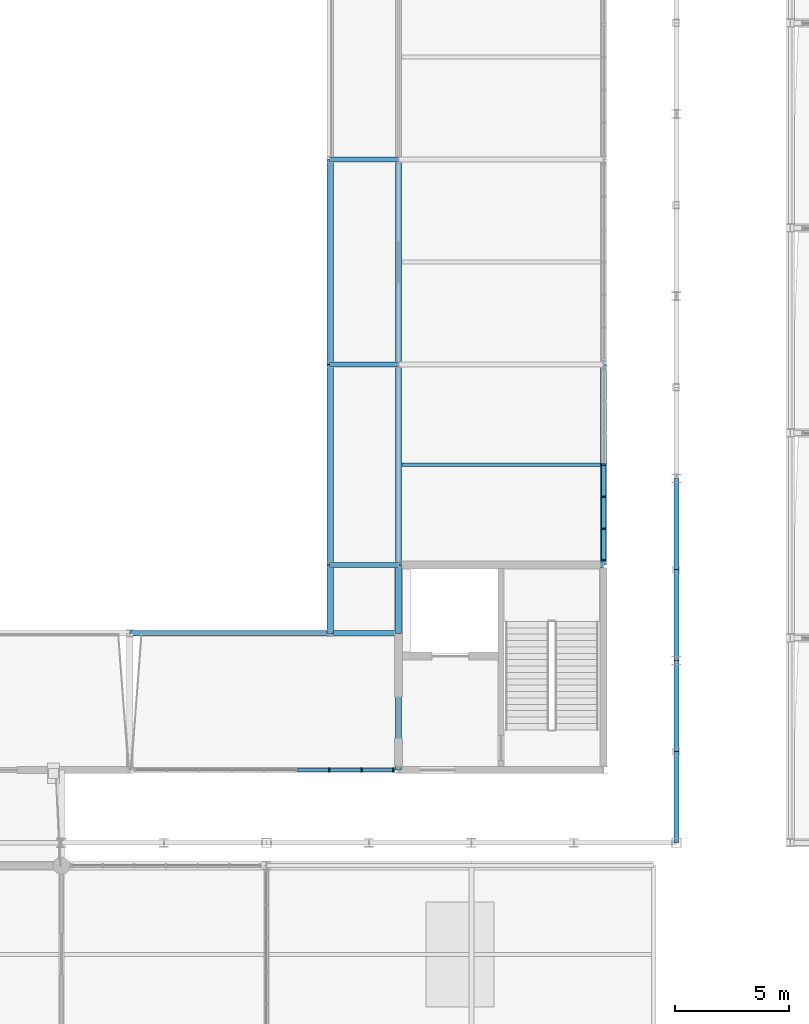
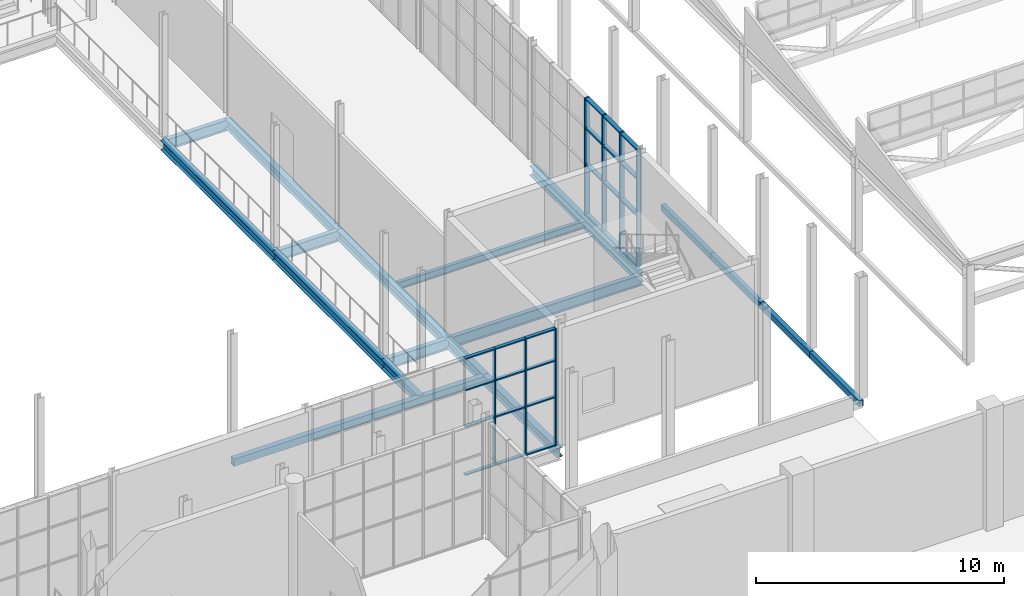
# One storey, part 74 of 159: 31 members, 18 beams, 2 elements without a shape of their own.
"""IFC4 building model written with IfcOpenShell, lengths in metres."""

from ifc_helpers import new_model, si_unit, direction, frame, origin, origin_2d, place, context, subcontext, project, spatial, rectangle, hollow_rectangle, i_section, extrude, material, layer, layer_set, material_profile, profile_set, type_object, element, aggregate, save


model = new_model("IFC4")

# Units and contexts
model_context = context("Model", 3, precision=1e-05, world=origin(), true_north=direction((0.0, 1.0)))
body_context = subcontext(model_context, "Body", "Model", "MODEL_VIEW")
ifc_project = project(units=[si_unit("LENGTHUNIT", "METRE"), si_unit("AREAUNIT", "SQUARE_METRE"), si_unit("VOLUMEUNIT", "CUBIC_METRE"), si_unit("PLANEANGLEUNIT", "RADIAN"), si_unit("MASSUNIT", "GRAM", prefix="KILO")], contexts=[model_context])

# Site, building, storey
site_placement = place(None, origin())
site = spatial("IfcSite", under=ifc_project, at=site_placement, CompositionType="ELEMENT")
building_placement = place(site_placement, origin())
building = spatial("IfcBuilding", under=site, at=building_placement, Name="Cazmaro Siding Exhibition Halls", CompositionType="ELEMENT")
storey_placement = place(building_placement, frame((0.0, 0.0, 6.0)))
storey = spatial("IfcBuildingStorey", under=building, at=storey_placement, Name="L01", CompositionType="ELEMENT", Elevation=6.0)

# Beams
ifc_material_1 = material(Name="Steel ASTM A992 Grade 50", Category="steel")
ifc_material_profile_1 = material_profile(ifc_material_1, i_section(OverallWidth=0.2099609375, OverallDepth=0.535888671875, WebThickness=0.010986328125, FlangeThickness=0.01708984375, at=origin_2d()), Name="W21X68")
ifc_profile_set_1 = profile_set([ifc_material_profile_1], Name="Steel ASTM A992 Grade 50")
beam_type_1 = type_object("IfcBeamType", Name="B-02", PredefinedType="BEAM", material=ifc_profile_set_1)
for number, where, z_axis, x_axis, name in (
    (1, (155.800048828125, 76.199951171875, -0.488037109375), (1.0, 0.0, 0.0), (0.0, 1.0, 0.0), "Beam B-02 BM-0371"),
    (2, (155.800048828125, 85.0, -0.488037109375), (1.0, 0.0, 0.0), (0.0, 1.0, 0.0), "Beam B-02 BM-0372"),
    (3, (155.800048828125, 94.0, -0.488037109375), (1.0, 0.0, 0.0), (0.0, 1.0, 0.0), "Beam B-02 BM-0373"),
):
    element("IfcBeam", number, at=place(storey_placement, frame(where, z_axis=z_axis, x_axis=x_axis)), inside=storey, type_object=beam_type_1, Name=name, PredefinedType="BEAM", context=body_context, shape_type="SweptSolid", body=[
        extrude(i_section(OverallWidth=0.2099609375, OverallDepth=0.535888671875, WebThickness=0.010986328125, FlangeThickness=0.01708984375, at=origin_2d()), origin(), (0.0, 0.0, 1.0), 3.0),
    ])
beam_1_placement = place(storey_placement, frame((158.800048828125, 76.199951171875, -0.488037109375), z_axis=(1.0, 0.0, 0.0), x_axis=(0.0, 1.0, 0.0)))
element("IfcBeam", 4, at=beam_1_placement, inside=storey, type_object=beam_type_1, Name="Beam B-02 BM-0382", PredefinedType="BEAM", context=body_context, shape_type="SweptSolid", body=[
    extrude(i_section(OverallWidth=0.2099609375, OverallDepth=0.535888671875, WebThickness=0.010986328125, FlangeThickness=0.01708984375, at=origin_2d()), origin(), (0.0, 0.0, 1.0), 9.0),
])
ifc_material_2 = material(Name="Steel ASTM A992 Grade 50", Category="steel")
ifc_material_profile_2 = material_profile(ifc_material_2, i_section(OverallWidth=0.279052734375, OverallDepth=0.4619140625, WebThickness=0.010986328125, FlangeThickness=0.01708984375, at=origin_2d()), Name="W18X76")
ifc_profile_set_2 = profile_set([ifc_material_profile_2], Name="Steel ASTM A992 Grade 50")
beam_type_2 = type_object("IfcBeamType", Name="B-03", PredefinedType="BEAM", material=ifc_profile_set_2)
beam_2_placement = place(storey_placement, frame((158.800048828125, 67.199951171875, -0.450927734375), z_axis=(0.0, 1.0, 0.0), x_axis=(-1.0, 0.0, 0.0)))
element("IfcBeam", 5, at=beam_2_placement, inside=storey, type_object=beam_type_2, Name="Beam B-03 BM-0347", PredefinedType="BEAM", context=body_context, shape_type="SweptSolid", body=[
    extrude(i_section(OverallWidth=0.279052734375, OverallDepth=0.4619140625, WebThickness=0.010986328125, FlangeThickness=0.01708984375, at=origin_2d()), origin(), (0.0, 0.0, 1.0), 6.0),
])
for number, where, z_axis, x_axis, name in (
    (6, (155.800048828125, 76.199951171875, -0.450927734375), (0.0, 1.0, 0.0), (-1.0, 0.0, 0.0), "Beam B-03 BM-0375"),
    (7, (158.800048828125, 76.199951171875, -0.450927734375), (0.0, 1.0, 0.0), (-1.0, 0.0, 0.0), "Beam B-03 BM-0376"),
):
    element("IfcBeam", number, at=place(storey_placement, frame(where, z_axis=z_axis, x_axis=x_axis)), inside=storey, type_object=beam_type_2, Name=name, PredefinedType="BEAM", context=body_context, shape_type="SweptSolid", body=[
        extrude(i_section(OverallWidth=0.279052734375, OverallDepth=0.4619140625, WebThickness=0.010986328125, FlangeThickness=0.01708984375, at=origin_2d()), origin(), (0.0, 0.0, 1.0), 8.800048828125),
    ])
for number, where, z_axis, x_axis, name in (
    (8, (155.800048828125, 85.0, -0.450927734375), (0.0, 1.0, 0.0), (-1.0, 0.0, 0.0), "Beam B-03 BM-0377"),
    (9, (158.800048828125, 85.0, -0.450927734375), (0.0, 1.0, 0.0), (-1.0, 0.0, 0.0), "Beam B-03 BM-0378"),
):
    element("IfcBeam", number, at=place(storey_placement, frame(where, z_axis=z_axis, x_axis=x_axis)), inside=storey, type_object=beam_type_2, Name=name, PredefinedType="BEAM", context=body_context, shape_type="SweptSolid", body=[
        extrude(i_section(OverallWidth=0.279052734375, OverallDepth=0.4619140625, WebThickness=0.010986328125, FlangeThickness=0.01708984375, at=origin_2d()), origin(), (0.0, 0.0, 1.0), 9.0),
    ])
beam_3_placement = place(storey_placement, frame((167.800048828125, 76.199951171875, -0.450927734375), z_axis=(0.0, 1.0, 0.0), x_axis=(-1.0, 0.0, 0.0)))
element("IfcBeam", 10, at=beam_3_placement, inside=storey, type_object=beam_type_2, Name="Beam B-03 BM-0386", PredefinedType="BEAM", context=body_context, shape_type="SweptSolid", body=[
    extrude(i_section(OverallWidth=0.279052734375, OverallDepth=0.4619140625, WebThickness=0.010986328125, FlangeThickness=0.01708984375, at=origin_2d()), origin(), (0.0, 0.0, 1.0), 8.800048828125),
])
for number, where, z_axis, x_axis, name in (
    (11, (155.800048828125, 73.199951171875, -0.450927734375), (0.0, 1.0, 0.0), (-1.0, 0.0, 0.0), "Beam B-03 BM-0396"),
    (12, (158.800048828125, 73.199951171875, -0.450927734375), (0.0, 1.0, 0.0), (-1.0, 0.0, 0.0), "Beam B-03 BM-0397"),
):
    element("IfcBeam", number, at=place(storey_placement, frame(where, z_axis=z_axis, x_axis=x_axis)), inside=storey, type_object=beam_type_2, Name=name, PredefinedType="BEAM", context=body_context, shape_type="SweptSolid", body=[
        extrude(i_section(OverallWidth=0.279052734375, OverallDepth=0.4619140625, WebThickness=0.010986328125, FlangeThickness=0.01708984375, at=origin_2d()), origin(), (0.0, 0.0, 1.0), 3.0),
    ])
ifc_material_3 = material(Name="Steel ASTM A500 Grade C", Category="steel")
ifc_material_profile_3 = material_profile(ifc_material_3, hollow_rectangle(XDim=0.25390625, YDim=0.35595703125, WallThickness=0.014892578125, at=origin_2d()), Name="HSS14X10X5/8")
ifc_profile_set_3 = profile_set([ifc_material_profile_3], Name="Steel ASTM A500 Grade C")
beam_type_3 = type_object("IfcBeamType", Name="B-06", PredefinedType="BEAM", material=ifc_profile_set_3)
beam_4_placement = place(storey_placement, frame((147.0, 73.199951171875, -0.39794921875), z_axis=(1.0, 0.0, 0.0), x_axis=(0.0, 1.0, 0.0)))
element("IfcBeam", 13, at=beam_4_placement, inside=storey, type_object=beam_type_3, Name="Beam B-06 BM-0335", PredefinedType="BEAM", context=body_context, shape_type="SweptSolid", body=[
    extrude(hollow_rectangle(XDim=0.25390625, YDim=0.35595703125, WallThickness=0.014892578125, at=origin_2d()), origin(), (0.0, 0.0, 1.0), 11.800048828125),
])

# Curtain wall, members
ifc_material_4 = material(Name="Anodized Bronze Aluminum and Solar-Control Low-E Glazing", Category="aluminium")
ifc_layer_1 = layer(ifc_material_4, 0.179931640625)
ifc_layer_set_1 = layer_set([ifc_layer_1], Name="Anodized Bronze Aluminum and Solar-Control Low-E Glazing")
curtain_wall_type_1 = type_object("IfcCurtainWallType", Name="CWS-01", PredefinedType="USERDEFINED", material=ifc_layer_set_1)
curtain_wall_1_placement = place(storey_placement, origin())
curtain_wall_1 = element("IfcCurtainWall", 14, at=curtain_wall_1_placement, inside=storey, type_object=curtain_wall_type_1, Name="Glazed Curtain Wall CWS-01 CW-044", ObjectType="GLAZED CURTAIN WALL", PredefinedType="USERDEFINED")
ifc_material_5 = material(Name="Anodized Bronze Extruded Aluminum", Category="aluminium")
ifc_material_profile_4 = material_profile(ifc_material_5, rectangle(XDim=0.179931640625, YDim=0.06005859375, at=origin_2d()), Name="CWM-01")
ifc_profile_set_4 = profile_set([ifc_material_profile_4], Name="Anodized Bronze Extruded Aluminum")
member_type_1 = type_object("IfcMemberType", Name="CWM-01", PredefinedType="MULLION", material=ifc_profile_set_4)
member_1_placement = place(storey_placement, frame((155.75146484375, 67.199951171875, 0.0), z_axis=(0.0, 0.0, 1.0), x_axis=(0.0, 1.0, 0.0)))
member_1 = element("IfcMember", 15, at=member_1_placement, type_object=member_type_1, Name="CWS-01 mullion 7", PredefinedType="MULLION", context=body_context, shape_type="SweptSolid", body=[
    extrude(rectangle(XDim=0.179931640625, YDim=0.06005859375, at=origin_2d()), origin(), (0.0, 0.0, 1.0), 5.780029296875),
])
member_2_placement = place(storey_placement, frame((157.17724609375, 67.199951171875, 0.0), z_axis=(0.0, 0.0, 1.0), x_axis=(0.0, 1.0, 0.0)))
member_2 = element("IfcMember", 16, at=member_2_placement, type_object=member_type_1, Name="CWS-01 mullion 8", PredefinedType="MULLION", context=body_context, shape_type="SweptSolid", body=[
    extrude(rectangle(XDim=0.179931640625, YDim=0.06005859375, at=origin_2d()), origin(), (0.0, 0.0, 1.0), 5.780029296875),
])
member_3_placement = place(storey_placement, frame((158.572998046875, 67.199951171875, 0.0), z_axis=(0.0, 0.0, 1.0), x_axis=(0.0, 1.0, 0.0)))
member_3 = element("IfcMember", 17, at=member_3_placement, type_object=member_type_1, Name="CWS-01 mullion 9", PredefinedType="MULLION", context=body_context, shape_type="SweptSolid", body=[
    extrude(rectangle(XDim=0.179931640625, YDim=0.06005859375, at=origin_2d()), origin(), (0.0, 0.0, 1.0), 5.780029296875),
])

ifc_material_6 = material(Name="Anodized Bronze Aluminum and Solar-Control Low-E Glazing", Category="aluminium")
ifc_layer_2 = layer(ifc_material_6, 0.219970703125)
ifc_layer_set_2 = layer_set([ifc_layer_2], Name="Anodized Bronze Aluminum and Solar-Control Low-E Glazing")
curtain_wall_type_2 = type_object("IfcCurtainWallType", Name="CWS-03", PredefinedType="USERDEFINED", material=ifc_layer_set_2)
curtain_wall_2_placement = place(storey_placement, origin())
curtain_wall_2 = element("IfcCurtainWall", 18, at=curtain_wall_2_placement, inside=storey, type_object=curtain_wall_type_2, Name="Glazed Curtain Wall CWS-03 CW-066", ObjectType="GLAZED CURTAIN WALL", PredefinedType="USERDEFINED")
ifc_material_7 = material(Name="Anodized Bronze Extruded Aluminum", Category="aluminium")
ifc_material_profile_5 = material_profile(ifc_material_7, rectangle(XDim=0.219970703125, YDim=0.070068359375, at=origin_2d()), Name="CWM-03")
ifc_profile_set_5 = profile_set([ifc_material_profile_5], Name="Anodized Bronze Extruded Aluminum")
member_type_2 = type_object("IfcMemberType", Name="CWM-03", PredefinedType="MULLION", material=ifc_profile_set_5)
member_4_placement = place(storey_placement, frame((167.800048828125, 76.412109375, 0.0), z_axis=(0.0, 0.0, 1.0), x_axis=(-1.0, 0.0, 0.0)))
member_4 = element("IfcMember", 19, at=member_4_placement, type_object=member_type_2, Name="CWS-03 mullion 1", PredefinedType="MULLION", context=body_context, shape_type="SweptSolid", body=[
    extrude(rectangle(XDim=0.219970703125, YDim=0.070068359375, at=origin_2d()), origin(), (0.0, 0.0, 1.0), 5.780029296875),
])
member_5_placement = place(storey_placement, frame((167.800048828125, 77.78466796875, 0.0), z_axis=(0.0, 0.0, 1.0), x_axis=(-1.0, 0.0, 0.0)))
member_5 = element("IfcMember", 20, at=member_5_placement, type_object=member_type_2, Name="CWS-03 mullion 2", PredefinedType="MULLION", context=body_context, shape_type="SweptSolid", body=[
    extrude(rectangle(XDim=0.219970703125, YDim=0.070068359375, at=origin_2d()), origin(), (0.0, 0.0, 1.0), 5.780029296875),
])
member_6_placement = place(storey_placement, frame((167.800048828125, 79.1923828125, 0.0), z_axis=(0.0, 0.0, 1.0), x_axis=(-1.0, 0.0, 0.0)))
member_6 = element("IfcMember", 21, at=member_6_placement, type_object=member_type_2, Name="CWS-03 mullion 3", PredefinedType="MULLION", context=body_context, shape_type="SweptSolid", body=[
    extrude(rectangle(XDim=0.219970703125, YDim=0.070068359375, at=origin_2d()), origin(), (0.0, 0.0, 1.0), 5.780029296875),
])
member_7_placement = place(storey_placement, frame((167.800048828125, 80.60009765625, 0.0), z_axis=(0.0, 0.0, 1.0), x_axis=(-1.0, 0.0, 0.0)))
member_7 = element("IfcMember", 22, at=member_7_placement, type_object=member_type_2, Name="CWS-03 mullion 4", PredefinedType="MULLION", context=body_context, shape_type="SweptSolid", body=[
    extrude(rectangle(XDim=0.219970703125, YDim=0.070068359375, at=origin_2d()), origin(), (0.0, 0.0, 1.0), 5.780029296875),
])

# Member
ifc_material_8 = material(Name="Anodized Bronze Extruded Aluminum", Category="aluminium")
ifc_material_profile_6 = material_profile(ifc_material_8, rectangle(XDim=0.159912109375, YDim=0.06005859375, at=origin_2d()), Name="CWT-01")
ifc_profile_set_6 = profile_set([ifc_material_profile_6], Name="Anodized Bronze Extruded Aluminum")
member_type_3 = type_object("IfcMemberType", Name="CWT-01", PredefinedType="MULLION", material=ifc_profile_set_6)
member_8_placement = place(storey_placement, frame((154.355712890625, 67.199951171875, 0.030029296875), z_axis=(1.0, 0.0, 0.0), x_axis=(0.0, 1.0, 0.0)))
member_8 = element("IfcMember", 23, at=member_8_placement, type_object=member_type_3, Name="CWS-01 transom 6.1", ObjectType="TRANSOM", PredefinedType="USERDEFINED", context=body_context, shape_type="SweptSolid", body=[
    extrude(rectangle(XDim=0.159912109375, YDim=0.06005859375, at=origin_2d()), origin(), (0.0, 0.0, 1.0), 1.36572265625),
])

member_9_placement = place(storey_placement, frame((154.355712890625, 67.199951171875, 2.39990234375), z_axis=(1.0, 0.0, 0.0), x_axis=(0.0, 1.0, 0.0)))
member_9 = element("IfcMember", 24, at=member_9_placement, type_object=member_type_3, Name="CWS-01 transom 6.2", ObjectType="TRANSOM", PredefinedType="USERDEFINED", context=body_context, shape_type="SweptSolid", body=[
    extrude(rectangle(XDim=0.159912109375, YDim=0.06005859375, at=origin_2d()), origin(), (0.0, 0.0, 1.0), 1.36572265625),
])

member_10_placement = place(storey_placement, frame((154.355712890625, 67.199951171875, 4.199951171875), z_axis=(1.0, 0.0, 0.0), x_axis=(0.0, 1.0, 0.0)))
member_10 = element("IfcMember", 25, at=member_10_placement, type_object=member_type_3, Name="CWS-01 transom 6.3", ObjectType="TRANSOM", PredefinedType="USERDEFINED", context=body_context, shape_type="SweptSolid", body=[
    extrude(rectangle(XDim=0.159912109375, YDim=0.06005859375, at=origin_2d()), origin(), (0.0, 0.0, 1.0), 1.36572265625),
])

member_11_placement = place(storey_placement, frame((154.355712890625, 67.199951171875, 5.75), z_axis=(1.0, 0.0, 0.0), x_axis=(0.0, 1.0, 0.0)))
member_11 = element("IfcMember", 26, at=member_11_placement, type_object=member_type_3, Name="CWS-01 transom 6.4", ObjectType="TRANSOM", PredefinedType="USERDEFINED", context=body_context, shape_type="SweptSolid", body=[
    extrude(rectangle(XDim=0.159912109375, YDim=0.06005859375, at=origin_2d()), origin(), (0.0, 0.0, 1.0), 1.36572265625),
])

member_12_placement = place(storey_placement, frame((155.781494140625, 67.199951171875, 0.030029296875), z_axis=(1.0, 0.0, 0.0), x_axis=(0.0, 1.0, 0.0)))
member_12 = element("IfcMember", 27, at=member_12_placement, type_object=member_type_3, Name="CWS-01 transom 7.1", ObjectType="TRANSOM", PredefinedType="USERDEFINED", context=body_context, shape_type="SweptSolid", body=[
    extrude(rectangle(XDim=0.159912109375, YDim=0.06005859375, at=origin_2d()), origin(), (0.0, 0.0, 1.0), 1.36572265625),
])

member_13_placement = place(storey_placement, frame((155.781494140625, 67.199951171875, 2.39990234375), z_axis=(1.0, 0.0, 0.0), x_axis=(0.0, 1.0, 0.0)))
member_13 = element("IfcMember", 28, at=member_13_placement, type_object=member_type_3, Name="CWS-01 transom 7.2", ObjectType="TRANSOM", PredefinedType="USERDEFINED", context=body_context, shape_type="SweptSolid", body=[
    extrude(rectangle(XDim=0.159912109375, YDim=0.06005859375, at=origin_2d()), origin(), (0.0, 0.0, 1.0), 1.36572265625),
])

member_14_placement = place(storey_placement, frame((155.781494140625, 67.199951171875, 4.199951171875), z_axis=(1.0, 0.0, 0.0), x_axis=(0.0, 1.0, 0.0)))
member_14 = element("IfcMember", 29, at=member_14_placement, type_object=member_type_3, Name="CWS-01 transom 7.3", ObjectType="TRANSOM", PredefinedType="USERDEFINED", context=body_context, shape_type="SweptSolid", body=[
    extrude(rectangle(XDim=0.159912109375, YDim=0.06005859375, at=origin_2d()), origin(), (0.0, 0.0, 1.0), 1.36572265625),
])

member_15_placement = place(storey_placement, frame((155.781494140625, 67.199951171875, 5.75), z_axis=(1.0, 0.0, 0.0), x_axis=(0.0, 1.0, 0.0)))
member_15 = element("IfcMember", 30, at=member_15_placement, type_object=member_type_3, Name="CWS-01 transom 7.4", ObjectType="TRANSOM", PredefinedType="USERDEFINED", context=body_context, shape_type="SweptSolid", body=[
    extrude(rectangle(XDim=0.159912109375, YDim=0.06005859375, at=origin_2d()), origin(), (0.0, 0.0, 1.0), 1.36572265625),
])

member_16_placement = place(storey_placement, frame((157.207275390625, 67.199951171875, 0.030029296875), z_axis=(1.0, 0.0, 0.0), x_axis=(0.0, 1.0, 0.0)))
member_16 = element("IfcMember", 31, at=member_16_placement, type_object=member_type_3, Name="CWS-01 transom 8.1", ObjectType="TRANSOM", PredefinedType="USERDEFINED", context=body_context, shape_type="SweptSolid", body=[
    extrude(rectangle(XDim=0.159912109375, YDim=0.06005859375, at=origin_2d()), origin(), (0.0, 0.0, 1.0), 1.335693359375),
])

member_17_placement = place(storey_placement, frame((157.207275390625, 67.199951171875, 2.39990234375), z_axis=(1.0, 0.0, 0.0), x_axis=(0.0, 1.0, 0.0)))
member_17 = element("IfcMember", 32, at=member_17_placement, type_object=member_type_3, Name="CWS-01 transom 8.2", ObjectType="TRANSOM", PredefinedType="USERDEFINED", context=body_context, shape_type="SweptSolid", body=[
    extrude(rectangle(XDim=0.159912109375, YDim=0.06005859375, at=origin_2d()), origin(), (0.0, 0.0, 1.0), 1.335693359375),
])

member_18_placement = place(storey_placement, frame((157.207275390625, 67.199951171875, 4.199951171875), z_axis=(1.0, 0.0, 0.0), x_axis=(0.0, 1.0, 0.0)))
member_18 = element("IfcMember", 33, at=member_18_placement, type_object=member_type_3, Name="CWS-01 transom 8.3", ObjectType="TRANSOM", PredefinedType="USERDEFINED", context=body_context, shape_type="SweptSolid", body=[
    extrude(rectangle(XDim=0.159912109375, YDim=0.06005859375, at=origin_2d()), origin(), (0.0, 0.0, 1.0), 1.335693359375),
])

member_19_placement = place(storey_placement, frame((157.207275390625, 67.199951171875, 5.75), z_axis=(1.0, 0.0, 0.0), x_axis=(0.0, 1.0, 0.0)))
member_19 = element("IfcMember", 34, at=member_19_placement, type_object=member_type_3, Name="CWS-01 transom 8.4", ObjectType="TRANSOM", PredefinedType="USERDEFINED", context=body_context, shape_type="SweptSolid", body=[
    extrude(rectangle(XDim=0.159912109375, YDim=0.06005859375, at=origin_2d()), origin(), (0.0, 0.0, 1.0), 1.335693359375),
])

aggregate(curtain_wall_1, [member_1, member_2, member_3, member_8, member_9, member_10, member_11, member_12, member_13, member_14, member_15, member_16, member_17, member_18, member_19])

ifc_material_9 = material(Name="Anodized Bronze Extruded Aluminum", Category="aluminium")
ifc_material_profile_7 = material_profile(ifc_material_9, rectangle(XDim=0.199951171875, YDim=0.070068359375, at=origin_2d()), Name="CWT-03")
ifc_profile_set_7 = profile_set([ifc_material_profile_7], Name="Anodized Bronze Extruded Aluminum")
member_type_4 = type_object("IfcMemberType", Name="CWT-03", PredefinedType="MULLION", material=ifc_profile_set_7)
member_20_placement = place(storey_placement, frame((167.800048828125, 76.447021484375, 0.034912109375), z_axis=(0.0, 1.0, 0.0), x_axis=(-1.0, 0.0, 0.0)))
member_20 = element("IfcMember", 35, at=member_20_placement, type_object=member_type_4, Name="CWS-03 transom 1.1", ObjectType="TRANSOM", PredefinedType="USERDEFINED", context=body_context, shape_type="SweptSolid", body=[
    extrude(rectangle(XDim=0.199951171875, YDim=0.070068359375, at=origin_2d()), origin(), (0.0, 0.0, 1.0), 1.302734375),
])

member_21_placement = place(storey_placement, frame((167.800048828125, 76.447021484375, 2.5), z_axis=(0.0, 1.0, 0.0), x_axis=(-1.0, 0.0, 0.0)))
member_21 = element("IfcMember", 36, at=member_21_placement, type_object=member_type_4, Name="CWS-03 transom 1.2", ObjectType="TRANSOM", PredefinedType="USERDEFINED", context=body_context, shape_type="SweptSolid", body=[
    extrude(rectangle(XDim=0.199951171875, YDim=0.070068359375, at=origin_2d()), origin(), (0.0, 0.0, 1.0), 1.302734375),
])

member_22_placement = place(storey_placement, frame((167.800048828125, 76.447021484375, 4.300048828125), z_axis=(0.0, 1.0, 0.0), x_axis=(-1.0, 0.0, 0.0)))
member_22 = element("IfcMember", 37, at=member_22_placement, type_object=member_type_4, Name="CWS-03 transom 1.3", ObjectType="TRANSOM", PredefinedType="USERDEFINED", context=body_context, shape_type="SweptSolid", body=[
    extrude(rectangle(XDim=0.199951171875, YDim=0.070068359375, at=origin_2d()), origin(), (0.0, 0.0, 1.0), 1.302734375),
])

member_23_placement = place(storey_placement, frame((167.800048828125, 76.447021484375, 5.7451171875), z_axis=(0.0, 1.0, 0.0), x_axis=(-1.0, 0.0, 0.0)))
member_23 = element("IfcMember", 38, at=member_23_placement, type_object=member_type_4, Name="CWS-03 transom 1.4", ObjectType="TRANSOM", PredefinedType="USERDEFINED", context=body_context, shape_type="SweptSolid", body=[
    extrude(rectangle(XDim=0.199951171875, YDim=0.070068359375, at=origin_2d()), origin(), (0.0, 0.0, 1.0), 1.302734375),
])

member_24_placement = place(storey_placement, frame((167.800048828125, 77.819580078125, 0.034912109375), z_axis=(0.0, 1.0, 0.0), x_axis=(-1.0, 0.0, 0.0)))
member_24 = element("IfcMember", 39, at=member_24_placement, type_object=member_type_4, Name="CWS-03 transom 2.1", ObjectType="TRANSOM", PredefinedType="USERDEFINED", context=body_context, shape_type="SweptSolid", body=[
    extrude(rectangle(XDim=0.199951171875, YDim=0.070068359375, at=origin_2d()), origin(), (0.0, 0.0, 1.0), 1.337646484375),
])

member_25_placement = place(storey_placement, frame((167.800048828125, 77.819580078125, 2.5), z_axis=(0.0, 1.0, 0.0), x_axis=(-1.0, 0.0, 0.0)))
member_25 = element("IfcMember", 40, at=member_25_placement, type_object=member_type_4, Name="CWS-03 transom 2.2", ObjectType="TRANSOM", PredefinedType="USERDEFINED", context=body_context, shape_type="SweptSolid", body=[
    extrude(rectangle(XDim=0.199951171875, YDim=0.070068359375, at=origin_2d()), origin(), (0.0, 0.0, 1.0), 1.337646484375),
])

member_26_placement = place(storey_placement, frame((167.800048828125, 77.819580078125, 4.300048828125), z_axis=(0.0, 1.0, 0.0), x_axis=(-1.0, 0.0, 0.0)))
member_26 = element("IfcMember", 41, at=member_26_placement, type_object=member_type_4, Name="CWS-03 transom 2.3", ObjectType="TRANSOM", PredefinedType="USERDEFINED", context=body_context, shape_type="SweptSolid", body=[
    extrude(rectangle(XDim=0.199951171875, YDim=0.070068359375, at=origin_2d()), origin(), (0.0, 0.0, 1.0), 1.337646484375),
])

member_27_placement = place(storey_placement, frame((167.800048828125, 77.819580078125, 5.7451171875), z_axis=(0.0, 1.0, 0.0), x_axis=(-1.0, 0.0, 0.0)))
member_27 = element("IfcMember", 42, at=member_27_placement, type_object=member_type_4, Name="CWS-03 transom 2.4", ObjectType="TRANSOM", PredefinedType="USERDEFINED", context=body_context, shape_type="SweptSolid", body=[
    extrude(rectangle(XDim=0.199951171875, YDim=0.070068359375, at=origin_2d()), origin(), (0.0, 0.0, 1.0), 1.337646484375),
])

member_28_placement = place(storey_placement, frame((167.800048828125, 79.227294921875, 0.034912109375), z_axis=(0.0, 1.0, 0.0), x_axis=(-1.0, 0.0, 0.0)))
member_28 = element("IfcMember", 43, at=member_28_placement, type_object=member_type_4, Name="CWS-03 transom 3.1", ObjectType="TRANSOM", PredefinedType="USERDEFINED", context=body_context, shape_type="SweptSolid", body=[
    extrude(rectangle(XDim=0.199951171875, YDim=0.070068359375, at=origin_2d()), origin(), (0.0, 0.0, 1.0), 1.337646484375),
])

member_29_placement = place(storey_placement, frame((167.800048828125, 79.227294921875, 2.5), z_axis=(0.0, 1.0, 0.0), x_axis=(-1.0, 0.0, 0.0)))
member_29 = element("IfcMember", 44, at=member_29_placement, type_object=member_type_4, Name="CWS-03 transom 3.2", ObjectType="TRANSOM", PredefinedType="USERDEFINED", context=body_context, shape_type="SweptSolid", body=[
    extrude(rectangle(XDim=0.199951171875, YDim=0.070068359375, at=origin_2d()), origin(), (0.0, 0.0, 1.0), 1.337646484375),
])

member_30_placement = place(storey_placement, frame((167.800048828125, 79.227294921875, 4.300048828125), z_axis=(0.0, 1.0, 0.0), x_axis=(-1.0, 0.0, 0.0)))
member_30 = element("IfcMember", 45, at=member_30_placement, type_object=member_type_4, Name="CWS-03 transom 3.3", ObjectType="TRANSOM", PredefinedType="USERDEFINED", context=body_context, shape_type="SweptSolid", body=[
    extrude(rectangle(XDim=0.199951171875, YDim=0.070068359375, at=origin_2d()), origin(), (0.0, 0.0, 1.0), 1.337646484375),
])

member_31_placement = place(storey_placement, frame((167.800048828125, 79.227294921875, 5.7451171875), z_axis=(0.0, 1.0, 0.0), x_axis=(-1.0, 0.0, 0.0)))
member_31 = element("IfcMember", 46, at=member_31_placement, type_object=member_type_4, Name="CWS-03 transom 3.4", ObjectType="TRANSOM", PredefinedType="USERDEFINED", context=body_context, shape_type="SweptSolid", body=[
    extrude(rectangle(XDim=0.199951171875, YDim=0.070068359375, at=origin_2d()), origin(), (0.0, 0.0, 1.0), 1.337646484375),
])

aggregate(curtain_wall_2, [member_4, member_5, member_6, member_7, member_20, member_21, member_22, member_23, member_24, member_25, member_26, member_27, member_28, member_29, member_30, member_31])

# Beams
ifc_material_10 = material(Name="Steel ASTM A992 Grade 50", Category="steel")
ifc_material_profile_8 = material_profile(ifc_material_10, i_section(OverallWidth=0.1708984375, OverallDepth=0.35595703125, WebThickness=0.007080078125, FlangeThickness=0.011962890625, at=origin_2d()), Name="W14X34")
ifc_profile_set_8 = profile_set([ifc_material_profile_8], Name="Steel ASTM A992 Grade 50")
beam_type_4 = type_object("IfcBeamType", Name="J-04", PredefinedType="JOIST", material=ifc_profile_set_8)
beam_5_placement = place(storey_placement, frame((158.93994140625, 80.60009765625, -0.39794921875), z_axis=(1.0, 0.0, 0.0), x_axis=(0.0, 1.0, 0.0)))
element("IfcBeam", 47, at=beam_5_placement, inside=storey, type_object=beam_type_4, Name="Beam J-04 BM-0387", PredefinedType="JOIST", context=body_context, shape_type="SweptSolid", body=[
    extrude(i_section(OverallWidth=0.1708984375, OverallDepth=0.35595703125, WebThickness=0.007080078125, FlangeThickness=0.011962890625, at=origin_2d()), origin(), (0.0, 0.0, 1.0), 8.719970703125),
])
ifc_material_11 = material(Name="Steel ASTM A500 Grade C", Category="steel")
ifc_material_profile_9 = material_profile(ifc_material_11, hollow_rectangle(XDim=0.202880859375, YDim=0.304931640625, WallThickness=0.011962890625, at=origin_2d()), Name="HSS12X8X1/2")
ifc_profile_set_9 = profile_set([ifc_material_profile_9], Name="Steel ASTM A500 Grade C")
beam_type_5 = type_object("IfcBeamType", Name="SP-01", PredefinedType="SPANDREL", material=ifc_profile_set_9)
for number, where, z_axis, x_axis, name in (
    (48, (171.0, 64.0, -0.3720703125), (0.0, 1.0, 0.0), (-1.0, 0.0, 0.0), "Beam SP-01 BM-0031"),
    (49, (171.0, 68.0, -0.3720703125), (0.0, 1.0, 0.0), (-1.0, 0.0, 0.0), "Beam SP-01 BM-0033"),
    (50, (171.0, 72.0, -0.3720703125), (0.0, 1.0, 0.0), (-1.0, 0.0, 0.0), "Beam SP-01 BM-0035"),
    (51, (171.0, 76.0, -0.3720703125), (0.0, 1.0, 0.0), (-1.0, 0.0, 0.0), "Beam SP-01 BM-0037"),
):
    element("IfcBeam", number, at=place(storey_placement, frame(where, z_axis=z_axis, x_axis=x_axis)), inside=storey, type_object=beam_type_5, Name=name, PredefinedType="SPANDREL", context=body_context, shape_type="SweptSolid", body=[
        extrude(hollow_rectangle(XDim=0.202880859375, YDim=0.304931640625, WallThickness=0.011962890625, at=origin_2d()), origin(), (0.0, 0.0, 1.0), 4.0),
    ])

save(model, "model.ifc")
